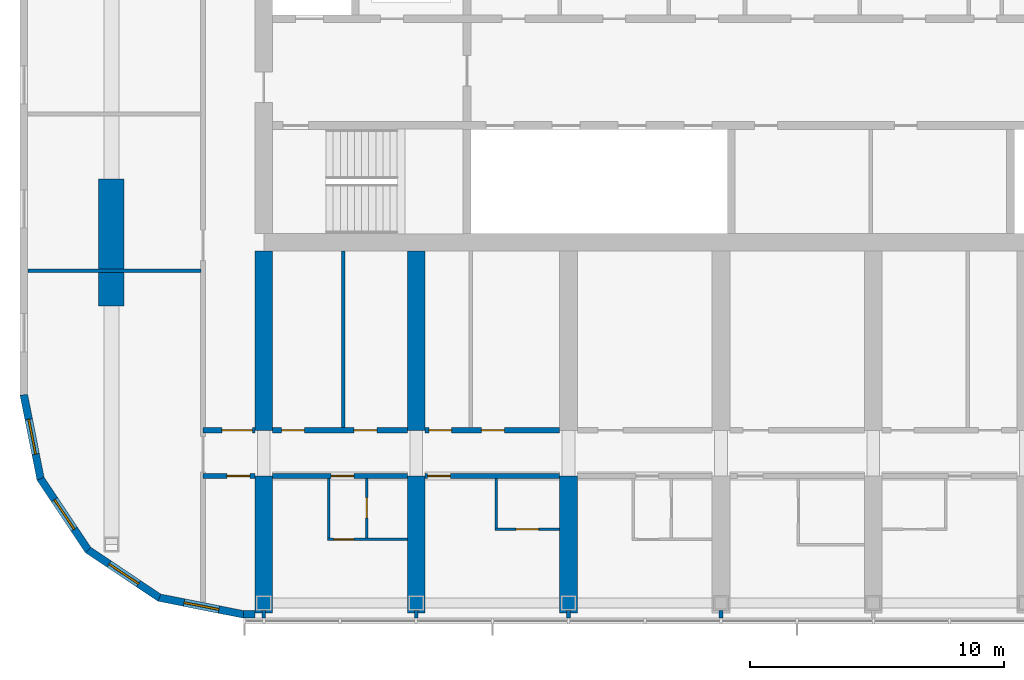
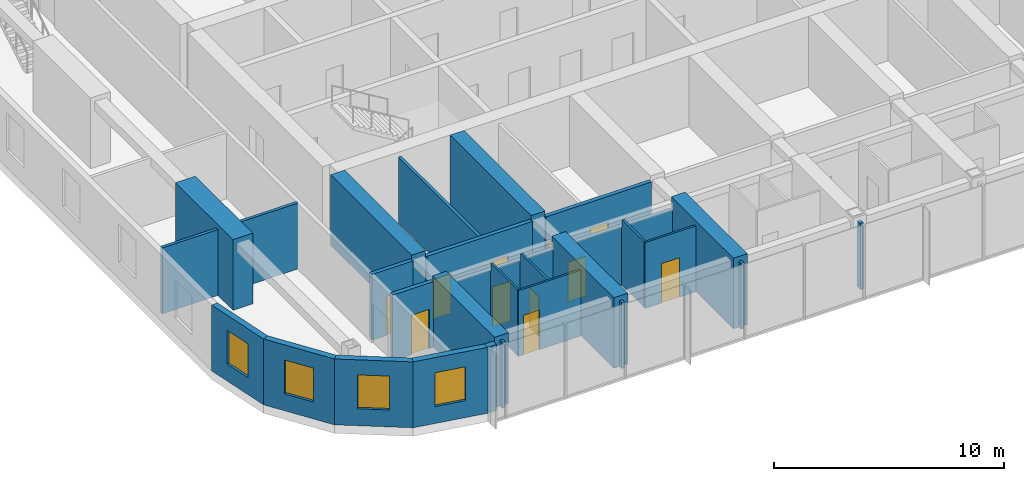
# One storey, part 12 of 26: 28 walls, 11 doors, 4 windows, 15 openings.
"""IFC4 building model written with IfcOpenShell, lengths in metres."""

from ifc_helpers import new_model, si_unit, direction, frame, frame_2d, origin, place, context, subcontext, project, spatial, polyline, rectangle, outline, extrude, material, layer, layer_set, type_object, element, fill, save


model = new_model("IFC4")

# Units and contexts
model_context = context("Model", 3, precision=1e-05, world=origin(), true_north=direction((0.0, 1.0)))
body_context = subcontext(model_context, "Body", "Model", "MODEL_VIEW")
ifc_project = project(units=[si_unit("LENGTHUNIT", "METRE"), si_unit("AREAUNIT", "SQUARE_METRE"), si_unit("VOLUMEUNIT", "CUBIC_METRE"), si_unit("PLANEANGLEUNIT", "RADIAN"), si_unit("MASSUNIT", "GRAM", prefix="KILO")], contexts=[model_context])

# Site, building, storey
site_placement = place(None, origin())
site = spatial("IfcSite", under=ifc_project, at=site_placement, CompositionType="ELEMENT")
building_placement = place(site_placement, origin())
building = spatial("IfcBuilding", under=site, at=building_placement, Name="Orbita Commons", CompositionType="ELEMENT")
storey_placement = place(building_placement, frame((0.0, 0.0, 231.550048828125)))
storey = spatial("IfcBuildingStorey", under=building, at=storey_placement, Name="L57", CompositionType="ELEMENT", Elevation=231.550048828125)

# Wall, opening, door
ifc_material_1 = material(Name="Concrete blockwork", Category="masonry")
ifc_layer_1 = layer(ifc_material_1, 0.199951171875)
ifc_layer_set_1 = layer_set([ifc_layer_1], Name="Concrete blockwork")
wall_type_1 = type_object("IfcWallType", Name="Corridor wall 200 blockwork", PredefinedType="SOLIDWALL", material=ifc_layer_set_1)
wall_1_placement = place(storey_placement, frame((15.60009765625, 16.60009765625, 0.0), z_axis=(0.0, 0.0, 1.0), x_axis=(1.0, 0.0, 0.0)))
wall_1 = element("IfcWall", 1, at=wall_1_placement, inside=storey, type_object=wall_type_1, Name="Corridor wall 200 blockwork L57", PredefinedType="SOLIDWALL", context=body_context, shape_type="SweptSolid", body=[
    extrude(rectangle(XDim=2.0498046875, YDim=0.199951171875, at=frame_2d((1.02490234375, 0.0))), origin(), (0.0, 0.0, 1.0), 3.5),
])
opening_1_placement = place(wall_1_placement, frame((0.949951171875, 0.0, 0.0)))
opening_1 = element("IfcOpeningElement", 2, at=opening_1_placement, cuts=wall_1, Name="Opening D05", PredefinedType="OPENING", context=body_context, shape_type="SweptSolid", body=[
    extrude(rectangle(XDim=0.89990234375, YDim=2.10009765625, at=frame_2d((0.449951171875, 1.050048828125))), frame((0.0, 0.10986328125, 0.0), z_axis=(0.0, -1.0, 0.0), x_axis=(1.0, 0.0, 0.0)), (0.0, 0.0, 1.0), 0.219970703125),
])
ifc_material_2 = material(Name="Steel-faced fire door leaf", Category="steel")
door_type_1 = type_object("IfcDoorType", Name="Service door 20 min 900x2100", OperationType="SINGLE_SWING_LEFT", PredefinedType="DOOR", material=ifc_material_2)
door_1_placement = place(opening_1_placement, origin())
door_1 = element("IfcDoor", 3, at=door_1_placement, inside=storey, type_object=door_type_1, Name="Linen store L57-KWS door", OperationType="SINGLE_SWING_LEFT", OverallHeight=2.10009765625, OverallWidth=0.89990234375, PredefinedType="DOOR", context=body_context, shape_type="SweptSolid", body=[
    extrude(rectangle(XDim=0.89990234375, YDim=2.10009765625, at=frame_2d((0.449951171875, 1.050048828125))), frame((0.0, 0.02490234375, 0.0), z_axis=(0.0, -1.0, 0.0), x_axis=(1.0, 0.0, 0.0)), (0.0, 0.0, 1.0), 0.050048828125),
])
fill(opening_1, door_1)

wall_2_placement = place(storey_placement, frame((18.35009765625, 16.60009765625, 0.0), z_axis=(0.0, 0.0, 1.0), x_axis=(1.0, 0.0, 0.0)))
wall_2 = element("IfcWall", 4, at=wall_2_placement, inside=storey, type_object=wall_type_1, Name="Corridor wall 200 blockwork L57", PredefinedType="SOLIDWALL", context=body_context, shape_type="SweptSolid", body=[
    extrude(outline(polyline([(0.0, 0.0), (5.2998046875, 0.0), (5.300048828125, 3.099853515625), (0.0, 3.099853515625), (0.0, 0.0)])), frame((0.0, 0.10009765625, 0.0), z_axis=(0.0, -1.0, 0.0), x_axis=(1.0, 0.0, 0.0)), (0.0, 0.0, 1.0), 0.199951171875),
])
opening_2_placement = place(wall_2_placement, frame((2.300048828125, 0.0, 0.0)))
opening_2 = element("IfcOpeningElement", 5, at=opening_2_placement, cuts=wall_2, Name="Opening D11", PredefinedType="OPENING", context=body_context, shape_type="SweptSolid", body=[
    extrude(rectangle(XDim=0.89990234375, YDim=2.10009765625, at=frame_2d((0.449951171875, 1.050048828125))), frame((0.0, 0.10986328125, 0.0), z_axis=(0.0, -1.0, 0.0), x_axis=(1.0, 0.0, 0.0)), (0.0, 0.0, 1.0), 0.219970703125),
])
ifc_material_3 = material(Name="Steel-faced fire door leaf", Category="steel")
door_type_2 = type_object("IfcDoorType", Name="Corridor door 20 min 900x2100", OperationType="SINGLE_SWING_LEFT", PredefinedType="DOOR", material=ifc_material_3)
door_2_placement = place(opening_2_placement, origin())
door_2 = element("IfcDoor", 6, at=door_2_placement, inside=storey, type_object=door_type_2, Name="Studio flat L57-S00 entrance door", OperationType="SINGLE_SWING_LEFT", OverallHeight=2.10009765625, OverallWidth=0.89990234375, PredefinedType="DOOR", context=body_context, shape_type="SweptSolid", body=[
    extrude(rectangle(XDim=0.89990234375, YDim=2.10009765625, at=frame_2d((0.449951171875, 1.050048828125))), frame((0.0, 0.02490234375, 0.0), z_axis=(0.0, -1.0, 0.0), x_axis=(1.0, 0.0, 0.0)), (0.0, 0.0, 1.0), 0.050048828125),
])
fill(opening_2, door_2)

wall_3_placement = place(storey_placement, frame((24.35009765625, 16.60009765625, 0.0), z_axis=(0.0, 0.0, 1.0), x_axis=(1.0, 0.0, 0.0)))
wall_3 = element("IfcWall", 7, at=wall_3_placement, inside=storey, type_object=wall_type_1, Name="Corridor wall 200 blockwork L57", PredefinedType="SOLIDWALL", context=body_context, shape_type="SweptSolid", body=[
    extrude(outline(polyline([(0.0, 0.0), (5.2998046875, 0.0), (5.300048828125, 3.099853515625), (0.0, 3.099853515625), (0.0, 0.0)])), frame((0.0, 0.10009765625, 0.0), z_axis=(0.0, -1.0, 0.0), x_axis=(1.0, 0.0, 0.0)), (0.0, 0.0, 1.0), 0.199951171875),
])
opening_3_placement = place(wall_3_placement, frame((0.10009765625, 0.0, 0.0)))
opening_3 = element("IfcOpeningElement", 8, at=opening_3_placement, cuts=wall_3, Name="Opening D11", PredefinedType="OPENING", context=body_context, shape_type="SweptSolid", body=[
    extrude(rectangle(XDim=0.89990234375, YDim=2.10009765625, at=frame_2d((0.449951171875, 1.050048828125))), frame((0.0, 0.10986328125, 0.0), z_axis=(0.0, -1.0, 0.0), x_axis=(1.0, 0.0, 0.0)), (0.0, 0.0, 1.0), 0.219970703125),
])
door_3_placement = place(opening_3_placement, origin())
door_3 = element("IfcDoor", 9, at=door_3_placement, inside=storey, type_object=door_type_2, Name="Studio apartment with kitchenette L57-S02 door", OperationType="SINGLE_SWING_LEFT", OverallHeight=2.10009765625, OverallWidth=0.89990234375, PredefinedType="DOOR", context=body_context, shape_type="SweptSolid", body=[
    extrude(rectangle(XDim=0.89990234375, YDim=2.10009765625, at=frame_2d((0.449951171875, 1.050048828125))), frame((0.0, 0.02490234375, 0.0), z_axis=(0.0, -1.0, 0.0), x_axis=(1.0, 0.0, 0.0)), (0.0, 0.0, 1.0), 0.050048828125),
])
fill(opening_3, door_3)

ifc_material_4 = material(Name="Hollow concrete block 200", Category="concrete")
ifc_layer_2 = layer(ifc_material_4, 0.199951171875)
ifc_layer_set_2 = layer_set([ifc_layer_2], Name="Hollow concrete block 200")
wall_type_2 = type_object("IfcWallType", Name="Corridor wall 200 hollow concrete block", PredefinedType="SOLIDWALL", material=ifc_layer_set_2)
wall_4_placement = place(storey_placement, frame((15.60009765625, 18.39990234375, 0.0), z_axis=(0.0, 0.0, 1.0), x_axis=(1.0, 0.0, 0.0)))
wall_4 = element("IfcWall", 10, at=wall_4_placement, inside=storey, type_object=wall_type_2, Name="Corridor wall 200 hollow concrete block L57", PredefinedType="SOLIDWALL", context=body_context, shape_type="SweptSolid", body=[
    extrude(rectangle(XDim=2.0498046875, YDim=0.199951171875, at=frame_2d((1.02490234375, 0.0))), origin(), (0.0, 0.0, 1.0), 3.5),
])
opening_4_placement = place(wall_4_placement, frame((0.75, 0.0, 0.0)))
opening_4 = element("IfcOpeningElement", 11, at=opening_4_placement, cuts=wall_4, Name="Opening D12", PredefinedType="OPENING", context=body_context, shape_type="SweptSolid", body=[
    extrude(rectangle(XDim=1.199951171875, YDim=2.10009765625, at=frame_2d((0.60009765625, 1.050048828125))), frame((0.0, 0.10986328125, 0.0), z_axis=(0.0, -1.0, 0.0), x_axis=(1.0, 0.0, 0.0)), (0.0, 0.0, 1.0), 0.219970703125),
])
ifc_material_5 = material(Name="Steel-faced fire door leaf", Category="steel")
door_type_3 = type_object("IfcDoorType", Name="Double corridor door 20 min 1200x2100", OperationType="DOUBLE_DOOR_SINGLE_SWING", PredefinedType="DOOR", material=ifc_material_5)
door_4_placement = place(opening_4_placement, origin())
door_4 = element("IfcDoor", 12, at=door_4_placement, inside=storey, type_object=door_type_3, Name="Cross corridor doors", OperationType="DOUBLE_DOOR_SINGLE_SWING", OverallHeight=2.10009765625, OverallWidth=1.199951171875, PredefinedType="DOOR", context=body_context, shape_type="SweptSolid", body=[
    extrude(rectangle(XDim=1.199951171875, YDim=2.10009765625, at=frame_2d((0.60009765625, 1.050048828125))), frame((0.0, 0.02490234375, 0.0), z_axis=(0.0, -1.0, 0.0), x_axis=(1.0, 0.0, 0.0)), (0.0, 0.0, 1.0), 0.050048828125),
])
fill(opening_4, door_4)

# Wall, openings, doors
wall_5_placement = place(storey_placement, frame((18.35009765625, 18.39990234375, 0.0), z_axis=(0.0, 0.0, 1.0), x_axis=(1.0, 0.0, 0.0)))
wall_5 = element("IfcWall", 13, at=wall_5_placement, inside=storey, type_object=wall_type_2, Name="Corridor wall 200 hollow concrete block L57", PredefinedType="SOLIDWALL", context=body_context, shape_type="SweptSolid", body=[
    extrude(rectangle(XDim=5.2998046875, YDim=0.199951171875, at=frame_2d((2.64990234375, 0.0))), origin(), (0.0, 0.0, 1.0), 3.5),
])
opening_5_placement = place(wall_5_placement, frame((0.35009765625, 0.0, 0.0)))
opening_5 = element("IfcOpeningElement", 14, at=opening_5_placement, cuts=wall_5, Name="Opening D11", PredefinedType="OPENING", context=body_context, shape_type="SweptSolid", body=[
    extrude(rectangle(XDim=0.89990234375, YDim=2.10009765625, at=frame_2d((0.449951171875, 1.050048828125))), frame((0.0, 0.10986328125, 0.0), z_axis=(0.0, -1.0, 0.0), x_axis=(1.0, 0.0, 0.0)), (0.0, 0.0, 1.0), 0.219970703125),
])
opening_6_placement = place(wall_5_placement, frame((3.199951171875, 0.0, 0.0)))
opening_6 = element("IfcOpeningElement", 15, at=opening_6_placement, cuts=wall_5, Name="Opening D11", PredefinedType="OPENING", context=body_context, shape_type="SweptSolid", body=[
    extrude(rectangle(XDim=0.89990234375, YDim=2.10009765625, at=frame_2d((0.449951171875, 1.050048828125))), frame((0.0, 0.10986328125, 0.0), z_axis=(0.0, -1.0, 0.0), x_axis=(1.0, 0.0, 0.0)), (0.0, 0.0, 1.0), 0.219970703125),
])
door_5_placement = place(opening_5_placement, origin())
door_5 = element("IfcDoor", 16, at=door_5_placement, inside=storey, type_object=door_type_2, Name="Yoga room L57-BDS18 door", OperationType="SINGLE_SWING_LEFT", OverallHeight=2.10009765625, OverallWidth=0.89990234375, PredefinedType="DOOR", context=body_context, shape_type="SweptSolid", body=[
    extrude(rectangle(XDim=0.89990234375, YDim=2.10009765625, at=frame_2d((0.449951171875, 1.050048828125))), frame((0.0, 0.02490234375, 0.0), z_axis=(0.0, -1.0, 0.0), x_axis=(1.0, 0.0, 0.0)), (0.0, 0.0, 1.0), 0.050048828125),
])
fill(opening_5, door_5)
door_6_placement = place(opening_6_placement, origin())
door_6 = element("IfcDoor", 17, at=door_6_placement, inside=storey, type_object=door_type_2, Name="Accessible WC and shower room L57-BDS18n door", OperationType="SINGLE_SWING_LEFT", OverallHeight=2.10009765625, OverallWidth=0.89990234375, PredefinedType="DOOR", context=body_context, shape_type="SweptSolid", body=[
    extrude(rectangle(XDim=0.89990234375, YDim=2.10009765625, at=frame_2d((0.449951171875, 1.050048828125))), frame((0.0, 0.02490234375, 0.0), z_axis=(0.0, -1.0, 0.0), x_axis=(1.0, 0.0, 0.0)), (0.0, 0.0, 1.0), 0.050048828125),
])
fill(opening_6, door_6)

wall_6_placement = place(storey_placement, frame((24.35009765625, 18.39990234375, 0.0), z_axis=(0.0, 0.0, 1.0), x_axis=(1.0, 0.0, 0.0)))
wall_6 = element("IfcWall", 18, at=wall_6_placement, inside=storey, type_object=wall_type_2, Name="Corridor wall 200 hollow concrete block L57", PredefinedType="SOLIDWALL", context=body_context, shape_type="SweptSolid", body=[
    extrude(rectangle(XDim=5.2998046875, YDim=0.199951171875, at=frame_2d((2.64990234375, 0.0))), origin(), (0.0, 0.0, 1.0), 3.5),
])
opening_7_placement = place(wall_6_placement, frame((0.14990234375, 0.0, 0.0)))
opening_7 = element("IfcOpeningElement", 19, at=opening_7_placement, cuts=wall_6, Name="Opening D11", PredefinedType="OPENING", context=body_context, shape_type="SweptSolid", body=[
    extrude(rectangle(XDim=0.89990234375, YDim=2.10009765625, at=frame_2d((0.449951171875, 1.050048828125))), frame((0.0, 0.10986328125, 0.0), z_axis=(0.0, -1.0, 0.0), x_axis=(1.0, 0.0, 0.0)), (0.0, 0.0, 1.0), 0.219970703125),
])
opening_8_placement = place(wall_6_placement, frame((2.219970703125, 0.0, 0.0)))
opening_8 = element("IfcOpeningElement", 20, at=opening_8_placement, cuts=wall_6, Name="Opening D11", PredefinedType="OPENING", context=body_context, shape_type="SweptSolid", body=[
    extrude(rectangle(XDim=0.89990234375, YDim=2.10009765625, at=frame_2d((0.449951171875, 1.050048828125))), frame((0.0, 0.10986328125, 0.0), z_axis=(0.0, -1.0, 0.0), x_axis=(1.0, 0.0, 0.0)), (0.0, 0.0, 1.0), 0.219970703125),
])
door_7_placement = place(opening_7_placement, origin())
door_7 = element("IfcDoor", 21, at=door_7_placement, inside=storey, type_object=door_type_2, Name="Battery and UPS room L57-BDS24n door", OperationType="SINGLE_SWING_LEFT", OverallHeight=2.10009765625, OverallWidth=0.89990234375, PredefinedType="DOOR", context=body_context, shape_type="SweptSolid", body=[
    extrude(rectangle(XDim=0.89990234375, YDim=2.10009765625, at=frame_2d((0.449951171875, 1.050048828125))), frame((0.0, 0.02490234375, 0.0), z_axis=(0.0, -1.0, 0.0), x_axis=(1.0, 0.0, 0.0)), (0.0, 0.0, 1.0), 0.050048828125),
])
fill(opening_7, door_7)
door_8_placement = place(opening_8_placement, origin())
door_8 = element("IfcDoor", 22, at=door_8_placement, inside=storey, type_object=door_type_2, Name="Recording room L57-BDS24 door", OperationType="SINGLE_SWING_LEFT", OverallHeight=2.10009765625, OverallWidth=0.89990234375, PredefinedType="DOOR", context=body_context, shape_type="SweptSolid", body=[
    extrude(rectangle(XDim=0.89990234375, YDim=2.10009765625, at=frame_2d((0.449951171875, 1.050048828125))), frame((0.0, 0.02490234375, 0.0), z_axis=(0.0, -1.0, 0.0), x_axis=(1.0, 0.0, 0.0)), (0.0, 0.0, 1.0), 0.050048828125),
])
fill(opening_8, door_8)

# Walls
ifc_material_6 = material(Name="Concrete C50/60", Category="concrete")
ifc_layer_3 = layer(ifc_material_6, 0.699951171875)
ifc_layer_set_3 = layer_set([ifc_layer_3], Name="Concrete C50/60")
wall_type_3 = type_object("IfcWallType", Name="Cross wall 700 C50/60", PredefinedType="SHEAR", material=ifc_layer_set_3)
wall_7_placement = place(storey_placement, frame((18.0, 11.199951171875, 0.0), z_axis=(0.0, 0.0, 1.0), x_axis=(0.0, 1.0, 0.0)))
element("IfcWall", 23, at=wall_7_placement, inside=storey, type_object=wall_type_3, Name="Cross wall 4 south outer L57", PredefinedType="SHEAR", context=body_context, shape_type="SweptSolid", body=[
    extrude(rectangle(XDim=5.400146484375, YDim=0.699951171875, at=frame_2d((2.7001953125, 0.0))), origin(), (0.0, 0.0, 1.0), 3.75),
])
wall_8_placement = place(storey_placement, frame((18.0, 18.39990234375, 0.0), z_axis=(0.0, 0.0, 1.0), x_axis=(0.0, 1.0, 0.0)))
element("IfcWall", 24, at=wall_8_placement, inside=storey, type_object=wall_type_3, Name="Cross wall 4 south inner L57", PredefinedType="SHEAR", context=body_context, shape_type="SweptSolid", body=[
    extrude(rectangle(XDim=7.050048828125, YDim=0.699951171875, at=frame_2d((3.52490234375, 0.0))), origin(), (0.0, 0.0, 1.0), 3.75),
])
wall_9_placement = place(storey_placement, frame((24.0, 11.199951171875, 0.0), z_axis=(0.0, 0.0, 1.0), x_axis=(0.0, 1.0, 0.0)))
element("IfcWall", 25, at=wall_9_placement, inside=storey, type_object=wall_type_3, Name="Cross wall 5 south outer L57", PredefinedType="SHEAR", context=body_context, shape_type="SweptSolid", body=[
    extrude(rectangle(XDim=5.400146484375, YDim=0.699951171875, at=frame_2d((2.7001953125, 0.0))), origin(), (0.0, 0.0, 1.0), 3.75),
])
wall_10_placement = place(storey_placement, frame((24.0, 18.39990234375, 0.0), z_axis=(0.0, 0.0, 1.0), x_axis=(0.0, 1.0, 0.0)))
element("IfcWall", 26, at=wall_10_placement, inside=storey, type_object=wall_type_3, Name="Cross wall 5 south inner L57", PredefinedType="SHEAR", context=body_context, shape_type="SweptSolid", body=[
    extrude(rectangle(XDim=7.050048828125, YDim=0.699951171875, at=frame_2d((3.52490234375, 0.0))), origin(), (0.0, 0.0, 1.0), 3.75),
])
wall_11_placement = place(storey_placement, frame((30.0, 11.199951171875, 0.0), z_axis=(0.0, 0.0, 1.0), x_axis=(0.0, 1.0, 0.0)))
element("IfcWall", 27, at=wall_11_placement, inside=storey, type_object=wall_type_3, Name="Cross wall 6 south outer L57", PredefinedType="SHEAR", context=body_context, shape_type="SweptSolid", body=[
    extrude(rectangle(XDim=5.400146484375, YDim=0.699951171875, at=frame_2d((2.7001953125, 0.0))), origin(), (0.0, 0.0, 1.0), 3.75),
])

# Wall, opening, door
ifc_material_7 = material(Name="Moisture-resistant plasterboard on steel studs", Category="steel")
ifc_layer_4 = layer(ifc_material_7, 0.10009765625)
ifc_layer_set_4 = layer_set([ifc_layer_4], Name="Moisture-resistant plasterboard on steel studs")
wall_type_4 = type_object("IfcWallType", Name="En-suite partition 100", PredefinedType="PARTITIONING", material=ifc_layer_set_4)
wall_12_placement = place(storey_placement, frame((23.64990234375, 14.10009765625, 0.0), z_axis=(0.0, 0.0, 1.0), x_axis=(-1.0, 0.0, 0.0)))
wall_12 = element("IfcWall", 28, at=wall_12_placement, inside=storey, type_object=wall_type_4, Name="En-suite partition 100 L57", PredefinedType="PARTITIONING", context=body_context, shape_type="SweptSolid", body=[
    extrude(rectangle(XDim=3.14990234375, YDim=0.10009765625, at=frame_2d((1.574951171875, 0.0))), origin(), (0.0, 0.0, 1.0), 3.5),
])
opening_9_placement = place(wall_12_placement, frame((2.10009765625, 0.0, 0.0)))
opening_9 = element("IfcOpeningElement", 29, at=opening_9_placement, cuts=wall_12, Name="Opening D16", PredefinedType="OPENING", context=body_context, shape_type="SweptSolid", body=[
    extrude(rectangle(XDim=0.800048828125, YDim=2.10009765625, at=frame_2d((0.39990234375, 1.050048828125))), frame((0.0, 0.06005859375, 0.0), z_axis=(0.0, -1.0, 0.0), x_axis=(1.0, 0.0, 0.0)), (0.0, 0.0, 1.0), 0.1201171875),
])
ifc_material_8 = material(Name="Laminated timber door leaf", Category="wood")
door_type_4 = type_object("IfcDoorType", Name="En-suite door 800x2100", OperationType="SINGLE_SWING_RIGHT", PredefinedType="DOOR", material=ifc_material_8)
door_9_placement = place(opening_9_placement, origin())
door_9 = element("IfcDoor", 30, at=door_9_placement, inside=storey, type_object=door_type_4, Name="Studio flat L57-S00 door", OperationType="SINGLE_SWING_RIGHT", OverallHeight=2.10009765625, OverallWidth=0.800048828125, PredefinedType="DOOR", context=body_context, shape_type="SweptSolid", body=[
    extrude(rectangle(XDim=0.800048828125, YDim=2.10009765625, at=frame_2d((0.39990234375, 1.050048828125))), frame((0.0, 0.02490234375, 0.0), z_axis=(0.0, -1.0, 0.0), x_axis=(1.0, 0.0, 0.0)), (0.0, 0.0, 1.0), 0.050048828125),
])
fill(opening_9, door_9)

# Wall
wall_13_placement = place(storey_placement, frame((20.550048828125, 14.14990234375, 0.0), z_axis=(0.0, 0.0, 1.0), x_axis=(0.0, 1.0, 0.0)))
element("IfcWall", 31, at=wall_13_placement, inside=storey, type_object=wall_type_4, Name="En-suite partition 100 L57", PredefinedType="PARTITIONING", context=body_context, shape_type="SweptSolid", body=[
    extrude(outline(polyline([(0.0, 0.0), (2.35009765625, 0.0), (2.35009765625, 3.099853515625), (2.302001953125, 3.099853515625), (2.300048828125, 3.5), (0.0, 3.5), (0.0, 0.0)])), frame((0.0, 0.050048828125, 0.0), z_axis=(0.0, -1.0, 0.0), x_axis=(1.0, 0.0, 0.0)), (0.0, 0.0, 1.0), 0.10009765625),
])

# Wall, opening, door
wall_14_placement = place(storey_placement, frame((22.050048828125, 14.14990234375, 0.0), z_axis=(0.0, 0.0, 1.0), x_axis=(0.0, 1.0, 0.0)))
wall_14 = element("IfcWall", 32, at=wall_14_placement, inside=storey, type_object=wall_type_4, Name="En-suite partition 100 L57", PredefinedType="PARTITIONING", context=body_context, shape_type="SweptSolid", body=[
    extrude(outline(polyline([(0.0, 0.0), (2.35009765625, 0.0), (2.35009765625, 3.099853515625), (2.302001953125, 3.099853515625), (2.300048828125, 3.5), (0.0, 3.5), (0.0, 0.0)])), frame((0.0, 0.050048828125, 0.0), z_axis=(0.0, -1.0, 0.0), x_axis=(1.0, 0.0, 0.0)), (0.0, 0.0, 1.0), 0.10009765625),
])
opening_10_placement = place(wall_14_placement, frame((0.800048828125, 0.0, 0.0)))
opening_10 = element("IfcOpeningElement", 33, at=opening_10_placement, cuts=wall_14, Name="Opening D16", PredefinedType="OPENING", context=body_context, shape_type="SweptSolid", body=[
    extrude(rectangle(XDim=0.800048828125, YDim=2.10009765625, at=frame_2d((0.39990234375, 1.050048828125))), frame((0.0, 0.06005859375, 0.0), z_axis=(0.0, -1.0, 0.0), x_axis=(1.0, 0.0, 0.0)), (0.0, 0.0, 1.0), 0.1201171875),
])
door_10_placement = place(opening_10_placement, origin())
door_10 = element("IfcDoor", 34, at=door_10_placement, inside=storey, type_object=door_type_4, Name="Studio flat shower room L57-S00 door", OperationType="SINGLE_SWING_RIGHT", OverallHeight=2.10009765625, OverallWidth=0.800048828125, PredefinedType="DOOR", context=body_context, shape_type="SweptSolid", body=[
    extrude(rectangle(XDim=0.800048828125, YDim=2.10009765625, at=frame_2d((0.39990234375, 1.050048828125))), frame((0.0, 0.02490234375, 0.0), z_axis=(0.0, -1.0, 0.0), x_axis=(1.0, 0.0, 0.0)), (0.0, 0.0, 1.0), 0.050048828125),
])
fill(opening_10, door_10)

wall_15_placement = place(storey_placement, frame((29.64990234375, 14.5, 0.0), z_axis=(0.0, 0.0, 1.0), x_axis=(-1.0, 0.0, 0.0)))
wall_15 = element("IfcWall", 35, at=wall_15_placement, inside=storey, type_object=wall_type_4, Name="En-suite partition 100 L57", PredefinedType="PARTITIONING", context=body_context, shape_type="SweptSolid", body=[
    extrude(rectangle(XDim=2.5498046875, YDim=0.10009765625, at=frame_2d((1.27490234375, 0.0))), origin(), (0.0, 0.0, 1.0), 3.5),
])
opening_11_placement = place(wall_15_placement, frame((0.824951171875, 0.0, 0.0)))
opening_11 = element("IfcOpeningElement", 36, at=opening_11_placement, cuts=wall_15, Name="Opening D09", PredefinedType="OPENING", context=body_context, shape_type="SweptSolid", body=[
    extrude(rectangle(XDim=0.89990234375, YDim=2.10009765625, at=frame_2d((0.449951171875, 1.050048828125))), frame((0.0, 0.06005859375, 0.0), z_axis=(0.0, -1.0, 0.0), x_axis=(1.0, 0.0, 0.0)), (0.0, 0.0, 1.0), 0.1201171875),
])
ifc_material_9 = material(Name="Laminated timber door leaf", Category="wood")
door_type_5 = type_object("IfcDoorType", Name="En-suite door 900x2100", OperationType="SINGLE_SWING_RIGHT", PredefinedType="DOOR", material=ifc_material_9)
door_11_placement = place(opening_11_placement, origin())
door_11 = element("IfcDoor", 37, at=door_11_placement, inside=storey, type_object=door_type_5, Name="En-suite L57-S02 door", OperationType="SINGLE_SWING_RIGHT", OverallHeight=2.10009765625, OverallWidth=0.89990234375, PredefinedType="DOOR", context=body_context, shape_type="SweptSolid", body=[
    extrude(rectangle(XDim=0.89990234375, YDim=2.10009765625, at=frame_2d((0.449951171875, 1.050048828125))), frame((0.0, 0.02490234375, 0.0), z_axis=(0.0, -1.0, 0.0), x_axis=(1.0, 0.0, 0.0)), (0.0, 0.0, 1.0), 0.050048828125),
])
fill(opening_11, door_11)

# Walls
wall_16_placement = place(storey_placement, frame((27.14990234375, 14.550048828125, 0.0), z_axis=(0.0, 0.0, 1.0), x_axis=(0.0, 1.0, 0.0)))
element("IfcWall", 38, at=wall_16_placement, inside=storey, type_object=wall_type_4, Name="En-suite partition 100 L57", PredefinedType="PARTITIONING", context=body_context, shape_type="SweptSolid", body=[
    extrude(outline(polyline([(0.0, 0.0), (1.949951171875, 0.0), (1.949951171875, 3.099853515625), (1.902099609375, 3.099853515625), (1.89990234375, 3.5), (0.0, 3.5), (0.0, 0.0)])), frame((0.0, 0.050048828125, 0.0), z_axis=(0.0, -1.0, 0.0), x_axis=(1.0, 0.0, 0.0)), (0.0, 0.0, 1.0), 0.10009765625),
])
ifc_material_10 = material(Name="Concrete C50/60", Category="concrete")
ifc_layer_5 = layer(ifc_material_10, 1.0)
ifc_layer_set_5 = layer_set([ifc_layer_5], Name="Concrete C50/60")
wall_type_5 = type_object("IfcWallType", Name="End pier 1000x5000 C50/60", PredefinedType="SHEAR", material=ifc_layer_set_5)
wall_17_placement = place(storey_placement, frame((12.0, 23.300048828125, 0.0), z_axis=(0.0, 0.0, 1.0), x_axis=(0.0, 1.0, 0.0)))
element("IfcWall", 39, at=wall_17_placement, inside=storey, type_object=wall_type_5, Name="End pier 3/C L57", PredefinedType="SHEAR", context=body_context, shape_type="SweptSolid", body=[
    extrude(rectangle(XDim=5.0, YDim=1.0, at=frame_2d((2.5, 0.0))), origin(), (0.0, 0.0, 1.0), 3.75),
])
ifc_material_11 = material(Name="Gypsum plasterboard on steel studs", Category="steel")
ifc_layer_6 = layer(ifc_material_11, 0.14990234375)
ifc_layer_set_6 = layer_set([ifc_layer_6], Name="Gypsum plasterboard on steel studs")
wall_type_6 = type_object("IfcWallType", Name="Partition 150 plasterboard", PredefinedType="PARTITIONING", material=ifc_layer_set_6)
wall_18_placement = place(storey_placement, frame((21.125, 18.5, 0.0), z_axis=(0.0, 0.0, 1.0), x_axis=(0.0, 1.0, 0.0)))
element("IfcWall", 40, at=wall_18_placement, inside=storey, type_object=wall_type_6, Name="Partition 150 plasterboard L57", PredefinedType="PARTITIONING", context=body_context, shape_type="SweptSolid", body=[
    extrude(rectangle(XDim=6.949951171875, YDim=0.14990234375, at=frame_2d((3.47509765625, 0.0))), origin(), (0.0, 0.0, 1.0), 3.5),
])
wall_19_placement = place(storey_placement, frame((8.705078125, 24.679931640625, 0.0), z_axis=(0.0, 0.0, 1.0), x_axis=(1.0, 0.0, 0.0)))
element("IfcWall", 41, at=wall_19_placement, inside=storey, type_object=wall_type_6, Name="Partition 150 plasterboard L57", PredefinedType="PARTITIONING", context=body_context, shape_type="SweptSolid", body=[
    extrude(rectangle(XDim=6.81982421875, YDim=0.14990234375, at=frame_2d((3.409912109375, 0.0))), origin(), (0.0, 0.0, 1.0), 3.5),
])
for number, where, z_axis, x_axis, name in (
    (42, (18.0, 11.300048828125, 0.0), (0.0, 0.0, 1.0), (0.0, -1.0, 0.0), "Partition 150 plasterboard L57"),
    (43, (24.0, 11.300048828125, 0.0), (0.0, 0.0, 1.0), (0.0, -1.0, 0.0), "Partition 150 plasterboard L57"),
    (44, (30.0, 11.300048828125, 0.0), (0.0, 0.0, 1.0), (0.0, -1.0, 0.0), "Partition 150 plasterboard L57"),
    (45, (36.0, 11.300048828125, 0.0), (0.0, 0.0, 1.0), (0.0, -1.0, 0.0), "Partition 150 plasterboard L57"),
):
    element("IfcWall", number, at=place(storey_placement, frame(where, z_axis=z_axis, x_axis=x_axis)), inside=storey, type_object=wall_type_6, Name=name, PredefinedType="PARTITIONING", context=body_context, shape_type="SweptSolid", body=[
        extrude(rectangle(XDim=0.2900390625, YDim=0.14990234375, at=frame_2d((0.14501953125, 0.0))), origin(), (0.0, 0.0, 1.0), 3.5),
    ])

# Wall, opening, window
ifc_material_12 = material(Name="Precast concrete C40/50, white board-marked finish", Category="concrete")
ifc_layer_7 = layer(ifc_material_12, 0.300048828125)
ifc_layer_set_7 = layer_set([ifc_layer_7], Name="Precast concrete C40/50, white board-marked finish")
wall_type_7 = type_object("IfcWallType", Name="Precast concrete end shield 300", PredefinedType="SOLIDWALL", material=ifc_layer_set_7)
wall_20_placement = place(storey_placement, frame((8.550048828125, 19.800048828125, 0.0), z_axis=(0.0, 0.0, 1.0), x_axis=(0.19508664885, -0.980786011034, 0.0)))
wall_20 = element("IfcWall", 46, at=wall_20_placement, inside=storey, type_object=wall_type_7, Name="End shield SW chord 1 L57", PredefinedType="SOLIDWALL", context=body_context, shape_type="SweptSolid", body=[
    extrude(outline(polyline([(-0.014892578125, -0.14990234375), (3.405029296875, -0.14990234375), (3.345458984375, 0.14990234375), (0.014892578125, 0.14990234375), (-0.014892578125, -0.14990234375)])), origin(), (0.0, 0.0, 1.0), 3.5),
])
opening_12_placement = place(wall_20_placement, frame((0.987548828125, 0.0, 0.89990234375)))
opening_12 = element("IfcOpeningElement", 47, at=opening_12_placement, cuts=wall_20, Name="Opening W02", PredefinedType="OPENING", context=body_context, shape_type="SweptSolid", body=[
    extrude(rectangle(XDim=1.39990234375, YDim=1.800048828125, at=frame_2d((0.699951171875, 0.89990234375))), frame((0.0, 0.159912109375, 0.0), z_axis=(0.0, -1.0, 0.0), x_axis=(1.0, 0.0, 0.0)), (0.0, 0.0, 1.0), 0.320068359375),
])
ifc_material_13 = material(Name="Aluminium frame, clear double glazing", Category="aluminium")
window_type = type_object("IfcWindowType", Name="Deep-set window 1400x1800", PartitioningType="SINGLE_PANEL", PredefinedType="WINDOW", material=ifc_material_13)
window_1_placement = place(opening_12_placement, origin())
window_1 = element("IfcWindow", 48, at=window_1_placement, inside=storey, type_object=window_type, Name="Window L57-SW0", OverallHeight=1.800048828125, OverallWidth=1.39990234375, PartitioningType="SINGLE_PANEL", PredefinedType="WINDOW", context=body_context, shape_type="SweptSolid", body=[
    extrude(rectangle(XDim=1.39990234375, YDim=1.800048828125, at=frame_2d((0.699951171875, 0.89990234375))), frame((0.0, 0.030029296875, 0.0), z_axis=(0.0, -1.0, 0.0), x_axis=(1.0, 0.0, 0.0)), (0.0, 0.0, 1.0), 0.06005859375),
])
fill(opening_12, window_1)

wall_21_placement = place(storey_placement, frame((9.20849609375, 16.48974609375, 0.0), z_axis=(0.0, 0.0, 1.0), x_axis=(0.555567969291, -0.831471124873, 0.0)))
wall_21 = element("IfcWall", 49, at=wall_21_placement, inside=storey, type_object=wall_type_7, Name="End shield SW chord 2 L57", PredefinedType="SOLIDWALL", context=body_context, shape_type="SweptSolid", body=[
    extrude(outline(polyline([(-0.02978515625, -0.14990234375), (3.40478515625, -0.14990234375), (3.34521484375, 0.14990234375), (0.02978515625, 0.14990234375), (-0.02978515625, -0.14990234375)])), origin(), (0.0, 0.0, 1.0), 3.5),
])
opening_13_placement = place(wall_21_placement, frame((0.987548828125, 0.0, 0.89990234375)))
opening_13 = element("IfcOpeningElement", 50, at=opening_13_placement, cuts=wall_21, Name="Opening W02", PredefinedType="OPENING", context=body_context, shape_type="SweptSolid", body=[
    extrude(rectangle(XDim=1.39990234375, YDim=1.800048828125, at=frame_2d((0.699951171875, 0.89990234375))), frame((0.0, 0.159912109375, 0.0), z_axis=(0.0, -1.0, 0.0), x_axis=(1.0, 0.0, 0.0)), (0.0, 0.0, 1.0), 0.320068359375),
])
window_2_placement = place(opening_13_placement, origin())
window_2 = element("IfcWindow", 51, at=window_2_placement, inside=storey, type_object=window_type, Name="Window L57-SW1", OverallHeight=1.800048828125, OverallWidth=1.39990234375, PartitioningType="SINGLE_PANEL", PredefinedType="WINDOW", context=body_context, shape_type="SweptSolid", body=[
    extrude(rectangle(XDim=1.39990234375, YDim=1.800048828125, at=frame_2d((0.699951171875, 0.89990234375))), frame((0.0, 0.030029296875, 0.0), z_axis=(0.0, -1.0, 0.0), x_axis=(1.0, 0.0, 0.0)), (0.0, 0.0, 1.0), 0.06005859375),
])
fill(opening_13, window_2)

wall_22_placement = place(storey_placement, frame((11.08349609375, 13.68359375, 0.0), z_axis=(0.0, 0.0, 1.0), x_axis=(0.831460037396, -0.555584562613, 0.0)))
wall_22 = element("IfcWall", 52, at=wall_22_placement, inside=storey, type_object=wall_type_7, Name="End shield SW chord 3 L57", PredefinedType="SOLIDWALL", context=body_context, shape_type="SweptSolid", body=[
    extrude(outline(polyline([(-0.02978515625, -0.14990234375), (3.405029296875, -0.14990234375), (3.345458984375, 0.14990234375), (0.02978515625, 0.14990234375), (-0.02978515625, -0.14990234375)])), origin(), (0.0, 0.0, 1.0), 3.5),
])
opening_14_placement = place(wall_22_placement, frame((0.987548828125, 0.0, 0.89990234375)))
opening_14 = element("IfcOpeningElement", 53, at=opening_14_placement, cuts=wall_22, Name="Opening W02", PredefinedType="OPENING", context=body_context, shape_type="SweptSolid", body=[
    extrude(rectangle(XDim=1.39990234375, YDim=1.800048828125, at=frame_2d((0.699951171875, 0.89990234375))), frame((0.0, 0.159912109375, 0.0), z_axis=(0.0, -1.0, 0.0), x_axis=(1.0, 0.0, 0.0)), (0.0, 0.0, 1.0), 0.320068359375),
])
window_3_placement = place(opening_14_placement, origin())
window_3 = element("IfcWindow", 54, at=window_3_placement, inside=storey, type_object=window_type, Name="Window L57-SW2", OverallHeight=1.800048828125, OverallWidth=1.39990234375, PartitioningType="SINGLE_PANEL", PredefinedType="WINDOW", context=body_context, shape_type="SweptSolid", body=[
    extrude(rectangle(XDim=1.39990234375, YDim=1.800048828125, at=frame_2d((0.699951171875, 0.89990234375))), frame((0.0, 0.030029296875, 0.0), z_axis=(0.0, -1.0, 0.0), x_axis=(1.0, 0.0, 0.0)), (0.0, 0.0, 1.0), 0.06005859375),
])
fill(opening_14, window_3)

wall_23_placement = place(storey_placement, frame((13.889892578125, 11.808349609375, 0.0), z_axis=(0.0, 0.0, 1.0), x_axis=(0.98078325777, -0.195100490205, 0.0)))
wall_23 = element("IfcWall", 55, at=wall_23_placement, inside=storey, type_object=wall_type_7, Name="End shield SW chord 4 L57", PredefinedType="SOLIDWALL", context=body_context, shape_type="SweptSolid", body=[
    extrude(outline(polyline([(-0.02978515625, -0.14990234375), (3.40478515625, -0.14990234375), (3.34521484375, 0.14990234375), (0.02978515625, 0.14990234375), (-0.02978515625, -0.14990234375)])), origin(), (0.0, 0.0, 1.0), 3.5),
])
opening_15_placement = place(wall_23_placement, frame((0.987548828125, 0.0, 0.89990234375)))
opening_15 = element("IfcOpeningElement", 56, at=opening_15_placement, cuts=wall_23, Name="Opening W02", PredefinedType="OPENING", context=body_context, shape_type="SweptSolid", body=[
    extrude(rectangle(XDim=1.39990234375, YDim=1.800048828125, at=frame_2d((0.699951171875, 0.89990234375))), frame((0.0, 0.159912109375, 0.0), z_axis=(0.0, -1.0, 0.0), x_axis=(1.0, 0.0, 0.0)), (0.0, 0.0, 1.0), 0.320068359375),
])
window_4_placement = place(opening_15_placement, origin())
window_4 = element("IfcWindow", 57, at=window_4_placement, inside=storey, type_object=window_type, Name="Window L57-SW3", OverallHeight=1.800048828125, OverallWidth=1.39990234375, PartitioningType="SINGLE_PANEL", PredefinedType="WINDOW", context=body_context, shape_type="SweptSolid", body=[
    extrude(rectangle(XDim=1.39990234375, YDim=1.800048828125, at=frame_2d((0.699951171875, 0.89990234375))), frame((0.0, 0.030029296875, 0.0), z_axis=(0.0, -1.0, 0.0), x_axis=(1.0, 0.0, 0.0)), (0.0, 0.0, 1.0), 0.06005859375),
])
fill(opening_15, window_4)

# Wall
wall_24_placement = place(storey_placement, frame((17.199951171875, 11.14990234375, 0.0), z_axis=(0.0, 0.0, 1.0), x_axis=(1.0, 0.0, 0.0)))
element("IfcWall", 58, at=wall_24_placement, inside=storey, type_object=wall_type_7, Name="End shield SW closer L57", PredefinedType="SOLIDWALL", context=body_context, shape_type="SweptSolid", body=[
    extrude(rectangle(XDim=0.449951171875, YDim=0.300048828125, at=frame_2d((0.22509765625, 0.0))), origin(), (0.0, 0.0, 1.0), 3.5),
])

save(model, "model.ifc")
